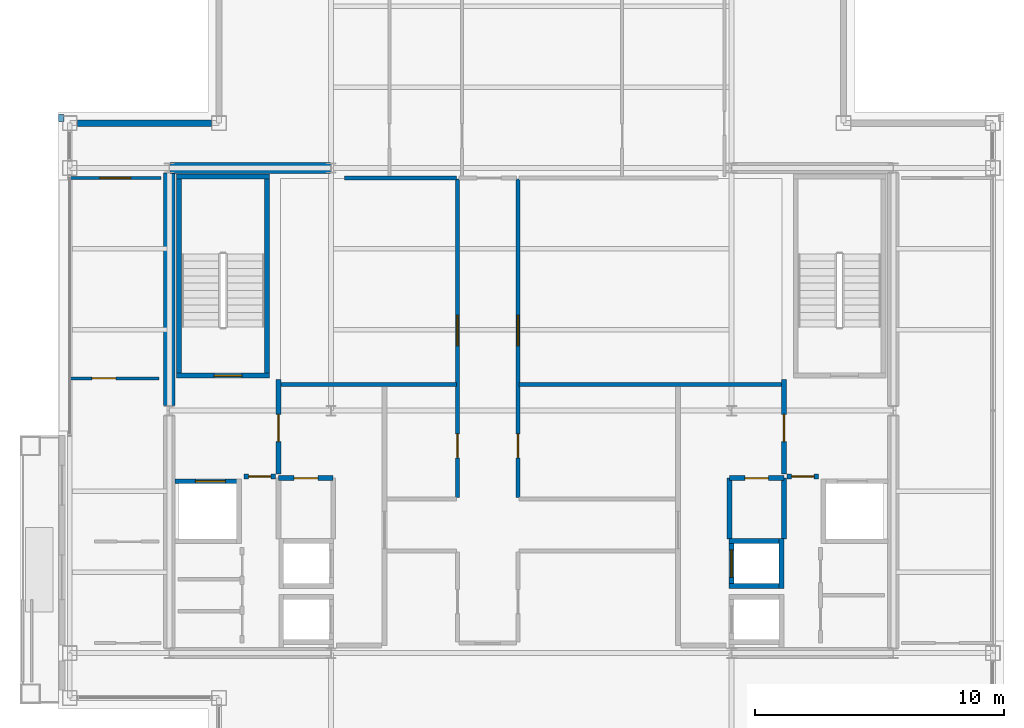
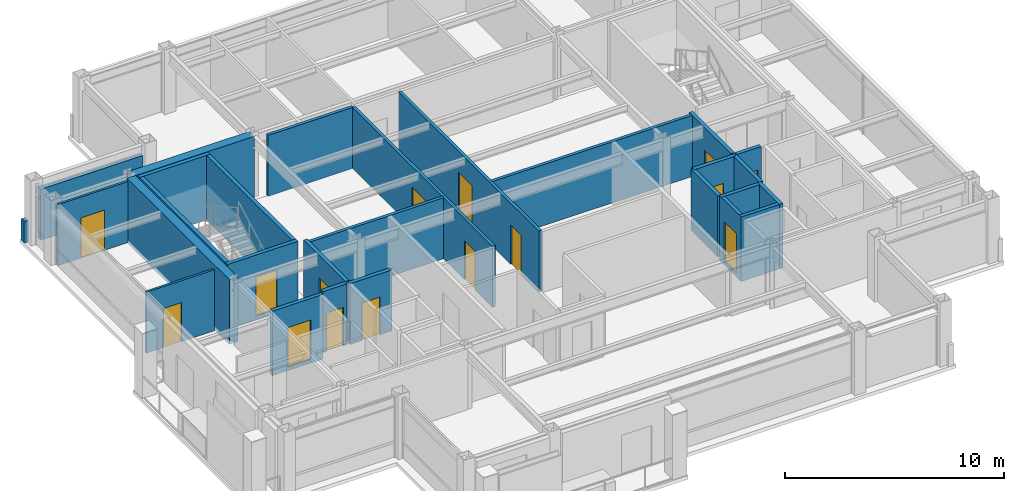
# One storey, part 21 of 24: 28 walls, 15 doors, 15 openings.
"""IFC4 building model written with IfcOpenShell, lengths in metres."""

from ifc_helpers import new_model, si_unit, direction, frame, frame_2d, origin, place, context, subcontext, project, spatial, rectangle, extrude, material, layer, layer_set, type_object, element, fill, save


model = new_model("IFC4")

# Units and contexts
model_context = context("Model", 3, precision=1e-05, world=origin(), true_north=direction((0.0, 1.0)))
body_context = subcontext(model_context, "Body", "Model", "MODEL_VIEW")
ifc_project = project(units=[si_unit("LENGTHUNIT", "METRE"), si_unit("AREAUNIT", "SQUARE_METRE"), si_unit("VOLUMEUNIT", "CUBIC_METRE"), si_unit("PLANEANGLEUNIT", "RADIAN"), si_unit("MASSUNIT", "GRAM", prefix="KILO")], contexts=[model_context])

# Site, building, storey
site_placement = place(None, origin())
site = spatial("IfcSite", under=ifc_project, at=site_placement, CompositionType="ELEMENT")
building_placement = place(site_placement, origin())
building = spatial("IfcBuilding", under=site, at=building_placement, Name="Brelmoor Portico Tower", CompositionType="ELEMENT")
storey_placement = place(building_placement, frame((0.0, 0.0, 261.60009765625)))
storey = spatial("IfcBuildingStorey", under=building, at=storey_placement, Name="L69", CompositionType="ELEMENT", Elevation=261.60009765625)

# Walls
ifc_material_1 = material(Name="Concrete C50", Category="concrete")
ifc_layer_1 = layer(ifc_material_1, 0.449951171875)
ifc_layer_set_1 = layer_set([ifc_layer_1], Name="Concrete C50")
wall_type_1 = type_object("IfcWallType", Name="WL-CORE-450", PredefinedType="SHEAR", material=ifc_layer_set_1)
wall_1_placement = place(storey_placement, frame((-14.530029296875, 9.75, -0.2001953125), z_axis=(0.0, 0.0, 1.0), x_axis=(1.0, 0.0, 0.0)))
element("IfcWall", 1, at=wall_1_placement, inside=storey, type_object=wall_type_1, Name="L69 WC North Shear Wall", PredefinedType="SHEAR", context=body_context, shape_type="SweptSolid", body=[
    extrude(rectangle(XDim=6.4599609375, YDim=0.449951171875, at=frame_2d((3.22998046875, 0.0))), origin(), (0.0, 0.0, 1.0), 3.60009765625),
])
wall_2_placement = place(storey_placement, frame((-14.550048828125, 0.199951171875, -0.2001953125), z_axis=(0.0, 0.0, 1.0), x_axis=(0.0, 1.0, 0.0)))
element("IfcWall", 2, at=wall_2_placement, inside=storey, type_object=wall_type_1, Name="L69 WC Outer North Shear Wall", PredefinedType="SHEAR", context=body_context, shape_type="SweptSolid", body=[
    extrude(rectangle(XDim=9.35009765625, YDim=0.449951171875, at=frame_2d((4.675048828125, 0.0))), origin(), (0.0, 0.0, 1.0), 3.60009765625),
])
ifc_material_2 = material(Name="Precast Concrete C40 Insulated Facade Wall", Category="concrete")
ifc_layer_2 = layer(ifc_material_2, 0.25)
ifc_layer_set_2 = layer_set([ifc_layer_2], Name="Precast Concrete C40 Insulated Facade Wall")
wall_type_2 = type_object("IfcWallType", Name="WL-EXT-250", PredefinedType="STANDARD", material=ifc_layer_set_2)
wall_3_placement = place(storey_placement, frame((-18.239990234375, 11.550048828125, 0.0), z_axis=(0.0, 0.0, 1.0), x_axis=(1.0, 0.0, 0.0)))
element("IfcWall", 3, at=wall_3_placement, inside=storey, type_object=wall_type_2, Name="L69 Corner Notch Facade Wall NNWH1", PredefinedType="STANDARD", context=body_context, shape_type="SweptSolid", body=[
    extrude(rectangle(XDim=5.3798828125, YDim=0.25, at=frame_2d((2.68994140625, 0.0))), origin(), (0.0, 0.0, 1.0), 2.849853515625),
])
ifc_material_3 = material(Name="Concrete C40 Parapet Upstand", Category="concrete")
ifc_layer_3 = layer(ifc_material_3, 0.219970703125)
ifc_layer_set_3 = layer_set([ifc_layer_3], Name="Concrete C40 Parapet Upstand")
wall_type_3 = type_object("IfcWallType", Name="WL-PARAPET-220", PredefinedType="PARAPET", material=ifc_layer_set_3)
wall_4_placement = place(storey_placement, frame((-18.889892578125, 11.6201171875, 0.0), z_axis=(0.0, 0.0, 1.0), x_axis=(0.0, 1.0, 0.0)))
element("IfcWall", 4, at=wall_4_placement, inside=storey, type_object=wall_type_3, Name="L69 Chamfer Vertex Parapet Pier NW2", PredefinedType="PARAPET", context=body_context, shape_type="SweptSolid", body=[
    extrude(rectangle(XDim=0.269775390625, YDim=0.219970703125, at=frame_2d((0.134765625, 0.0))), origin(), (0.0, 0.0, 1.0), 1.199951171875),
])

# Wall, opening, door
ifc_material_4 = material(Name="Lightweight Gypsum Office Partition", Category="gypsum")
ifc_layer_4 = layer(ifc_material_4, 0.1201171875)
ifc_layer_set_4 = layer_set([ifc_layer_4], Name="Lightweight Gypsum Office Partition")
wall_type_4 = type_object("IfcWallType", Name="WL-PART-120", PredefinedType="PARTITIONING", material=ifc_layer_set_4)
wall_5_placement = place(storey_placement, frame((-18.56005859375, 9.35009765625, 0.0), z_axis=(0.0, 0.0, 1.0), x_axis=(1.0, 0.0, 0.0)))
wall_5 = element("IfcWall", 5, at=wall_5_placement, inside=storey, type_object=wall_type_4, Name="L69 North Wing Suite Wall WL", PredefinedType="PARTITIONING", context=body_context, shape_type="SweptSolid", body=[
    extrude(rectangle(XDim=3.68017578125, YDim=0.1201171875, at=frame_2d((1.840087890625, 0.0))), origin(), (0.0, 0.0, 1.0), 3.39990234375),
])
opening_1_placement = place(wall_5_placement, frame((1.219970703125, 0.0, 0.0)))
opening_1 = element("IfcOpeningElement", 6, at=opening_1_placement, cuts=wall_5, Name="Opening D-SU1", PredefinedType="OPENING", context=body_context, shape_type="SweptSolid", body=[
    extrude(rectangle(XDim=1.239990234375, YDim=2.239990234375, at=frame_2d((0.6201171875, 1.1201171875))), frame((0.0, 0.070068359375, 0.0), z_axis=(0.0, -1.0, 0.0), x_axis=(1.0, 0.0, 0.0)), (0.0, 0.0, 1.0), 0.14013671875),
])
ifc_material_5 = material(Name="Glazed Timber Executive Suite Door", Category="wood")
door_type_1 = type_object("IfcDoorType", Name="DR-SUITE-1200", OperationType="NOTDEFINED", PredefinedType="DOOR", material=ifc_material_5)
door_1_placement = place(opening_1_placement, origin())
door_1 = element("IfcDoor", 7, at=door_1_placement, inside=storey, type_object=door_type_1, Name="D-2845 L69 WL Wing Suite Connecting Door", OperationType="SINGLE_SWING_LEFT", OverallHeight=2.239990234375, OverallWidth=1.239990234375, PredefinedType="DOOR", context=body_context, shape_type="SweptSolid", body=[
    extrude(rectangle(XDim=1.239990234375, YDim=2.239990234375, at=frame_2d((0.6201171875, 1.1201171875))), frame((0.0, 0.02490234375, 0.0), z_axis=(0.0, -1.0, 0.0), x_axis=(1.0, 0.0, 0.0)), (0.0, 0.0, 1.0), 0.050048828125),
])
fill(opening_1, door_1)

wall_6_placement = place(storey_placement, frame((-18.56005859375, 1.2978515625, 0.0), z_axis=(0.0, 0.0, 1.0), x_axis=(1.0, 0.0, 0.0)))
wall_6 = element("IfcWall", 8, at=wall_6_placement, inside=storey, type_object=wall_type_4, Name="L69 W Wing Partition 2", PredefinedType="PARTITIONING", context=body_context, shape_type="SweptSolid", body=[
    extrude(rectangle(XDim=3.60009765625, YDim=0.1201171875, at=frame_2d((1.800048828125, 0.0))), origin(), (0.0, 0.0, 1.0), 3.39990234375),
])
opening_2_placement = place(wall_6_placement, frame((0.89990234375, 0.0, 0.0)))
opening_2 = element("IfcOpeningElement", 9, at=opening_2_placement, cuts=wall_6, Name="Opening D-IN2", PredefinedType="OPENING", context=body_context, shape_type="SweptSolid", body=[
    extrude(rectangle(XDim=0.9599609375, YDim=2.179931640625, at=frame_2d((0.47998046875, 1.08984375))), frame((0.0, 0.070068359375, 0.0), z_axis=(0.0, -1.0, 0.0), x_axis=(1.0, 0.0, 0.0)), (0.0, 0.0, 1.0), 0.14013671875),
])
ifc_material_6 = material(Name="Lacquered Timber Suite Door", Category="wood")
door_type_2 = type_object("IfcDoorType", Name="DR-INT-950", OperationType="NOTDEFINED", PredefinedType="DOOR", material=ifc_material_6)
door_2_placement = place(opening_2_placement, origin())
door_2 = element("IfcDoor", 10, at=door_2_placement, inside=storey, type_object=door_type_2, Name="D-2854 L69 W Wing Suite Connecting Door 2", OperationType="SINGLE_SWING_LEFT", OverallHeight=2.179931640625, OverallWidth=0.9599609375, PredefinedType="DOOR", context=body_context, shape_type="SweptSolid", body=[
    extrude(rectangle(XDim=0.9599609375, YDim=2.179931640625, at=frame_2d((0.47998046875, 1.08984375))), frame((0.0, 0.02490234375, 0.0), z_axis=(0.0, -1.0, 0.0), x_axis=(1.0, 0.0, 0.0)), (0.0, 0.0, 1.0), 0.050048828125),
])
fill(opening_2, door_2)

# Wall
ifc_material_7 = material(Name="Twin-Frame Acoustic Partition", Category="gypsum")
ifc_layer_5 = layer(ifc_material_7, 0.159912109375)
ifc_layer_set_5 = layer_set([ifc_layer_5], Name="Twin-Frame Acoustic Partition")
wall_type_5 = type_object("IfcWallType", Name="WL-PART-160", PredefinedType="PARTITIONING", material=ifc_layer_set_5)
wall_7_placement = place(storey_placement, frame((-10.050048828125, 1.050048828125, 0.0), z_axis=(0.0, 0.0, 1.0), x_axis=(1.0, 0.0, 0.0)))
element("IfcWall", 11, at=wall_7_placement, inside=storey, type_object=wall_type_5, Name="L69 West Reclaimed Suite South Wall", PredefinedType="PARTITIONING", context=body_context, shape_type="SweptSolid", body=[
    extrude(rectangle(XDim=7.0400390625, YDim=0.159912109375, at=frame_2d((3.52001953125, 0.0))), origin(), (0.0, 0.0, 1.0), 3.39990234375),
])

# Wall, openings, doors
wall_8_placement = place(storey_placement, frame((-2.969970703125, -3.5, 0.0), z_axis=(0.0, 0.0, 1.0), x_axis=(0.0, 1.0, 0.0)))
wall_8 = element("IfcWall", 12, at=wall_8_placement, inside=storey, type_object=wall_type_5, Name="L69 Central Cross West Wall", PredefinedType="PARTITIONING", context=body_context, shape_type="SweptSolid", body=[
    extrude(rectangle(XDim=12.81005859375, YDim=0.159912109375, at=frame_2d((6.405029296875, 0.0))), origin(), (0.0, 0.0, 1.0), 3.39990234375),
])
opening_3_placement = place(wall_8_placement, frame((6.10009765625, 0.0, 0.0)))
opening_3 = element("IfcOpeningElement", 13, at=opening_3_placement, cuts=wall_8, Name="Opening D-SU1", PredefinedType="OPENING", context=body_context, shape_type="SweptSolid", body=[
    extrude(rectangle(XDim=1.239990234375, YDim=2.239990234375, at=frame_2d((0.6201171875, 1.1201171875))), frame((0.0, 0.08984375, 0.0), z_axis=(0.0, -1.0, 0.0), x_axis=(1.0, 0.0, 0.0)), (0.0, 0.0, 1.0), 0.179931640625),
])
opening_4_placement = place(wall_8_placement, frame((1.60009765625, 0.0, 0.0)))
opening_4 = element("IfcOpeningElement", 14, at=opening_4_placement, cuts=wall_8, Name="Opening D-IN2", PredefinedType="OPENING", context=body_context, shape_type="SweptSolid", body=[
    extrude(rectangle(XDim=0.9599609375, YDim=2.179931640625, at=frame_2d((0.47998046875, 1.08984375))), frame((0.0, 0.08984375, 0.0), z_axis=(0.0, -1.0, 0.0), x_axis=(1.0, 0.0, 0.0)), (0.0, 0.0, 1.0), 0.179931640625),
])
door_3_placement = place(opening_4_placement, origin())
door_3 = element("IfcDoor", 15, at=door_3_placement, inside=storey, type_object=door_type_2, Name="D-2824 L69 Staff Pantry Door", OperationType="SINGLE_SWING_LEFT", OverallHeight=2.179931640625, OverallWidth=0.9599609375, PredefinedType="DOOR", context=body_context, shape_type="SweptSolid", body=[
    extrude(rectangle(XDim=0.9599609375, YDim=2.179931640625, at=frame_2d((0.47998046875, 1.08984375))), frame((0.0, 0.02490234375, 0.0), z_axis=(0.0, -1.0, 0.0), x_axis=(1.0, 0.0, 0.0)), (0.0, 0.0, 1.0), 0.050048828125),
])
fill(opening_4, door_3)
door_4_placement = place(opening_3_placement, origin())
door_4 = element("IfcDoor", 16, at=door_4_placement, inside=storey, type_object=door_type_1, Name="D-2825 L69 West Reclaimed Studio Door", OperationType="SINGLE_SWING_RIGHT", OverallHeight=2.239990234375, OverallWidth=1.239990234375, PredefinedType="DOOR", context=body_context, shape_type="SweptSolid", body=[
    extrude(rectangle(XDim=1.239990234375, YDim=2.239990234375, at=frame_2d((0.6201171875, 1.1201171875))), frame((0.0, 0.02490234375, 0.0), z_axis=(0.0, -1.0, 0.0), x_axis=(1.0, 0.0, 0.0)), (0.0, 0.0, 1.0), 0.050048828125),
])
fill(opening_3, door_4)

# Walls
wall_9_placement = place(storey_placement, frame((-7.5, 9.35009765625, 0.0), z_axis=(0.0, 0.0, 1.0), x_axis=(1.0, 0.0, 0.0)))
element("IfcWall", 17, at=wall_9_placement, inside=storey, type_object=wall_type_5, Name="L69 West Reclaimed Suite North Wall", PredefinedType="PARTITIONING", context=body_context, shape_type="SweptSolid", body=[
    extrude(rectangle(XDim=4.489990234375, YDim=0.159912109375, at=frame_2d((2.2451171875, 0.0))), origin(), (0.0, 0.0, 1.0), 3.39990234375),
])
wall_10_placement = place(storey_placement, frame((-0.489990234375, 1.050048828125, 0.0), z_axis=(0.0, 0.0, 1.0), x_axis=(1.0, 0.0, 0.0)))
element("IfcWall", 18, at=wall_10_placement, inside=storey, type_object=wall_type_5, Name="L69 East Suite South Wall", PredefinedType="PARTITIONING", context=body_context, shape_type="SweptSolid", body=[
    extrude(rectangle(XDim=10.550048828125, YDim=0.159912109375, at=frame_2d((5.27490234375, 0.0))), origin(), (0.0, 0.0, 1.0), 3.39990234375),
])

# Wall, openings, doors
wall_11_placement = place(storey_placement, frame((-0.530029296875, -3.5, 0.0), z_axis=(0.0, 0.0, 1.0), x_axis=(0.0, 1.0, 0.0)))
wall_11 = element("IfcWall", 19, at=wall_11_placement, inside=storey, type_object=wall_type_5, Name="L69 Central Cross East Wall", PredefinedType="PARTITIONING", context=body_context, shape_type="SweptSolid", body=[
    extrude(rectangle(XDim=12.81005859375, YDim=0.159912109375, at=frame_2d((6.405029296875, 0.0))), origin(), (0.0, 0.0, 1.0), 3.39990234375),
])
opening_5_placement = place(wall_11_placement, frame((6.10009765625, 0.0, 0.0)))
opening_5 = element("IfcOpeningElement", 20, at=opening_5_placement, cuts=wall_11, Name="Opening D-SU1", PredefinedType="OPENING", context=body_context, shape_type="SweptSolid", body=[
    extrude(rectangle(XDim=1.239990234375, YDim=2.239990234375, at=frame_2d((0.6201171875, 1.1201171875))), frame((0.0, 0.08984375, 0.0), z_axis=(0.0, -1.0, 0.0), x_axis=(1.0, 0.0, 0.0)), (0.0, 0.0, 1.0), 0.179931640625),
])
opening_6_placement = place(wall_11_placement, frame((1.60009765625, 0.0, 0.0)))
opening_6 = element("IfcOpeningElement", 21, at=opening_6_placement, cuts=wall_11, Name="Opening D-IN2", PredefinedType="OPENING", context=body_context, shape_type="SweptSolid", body=[
    extrude(rectangle(XDim=0.9599609375, YDim=2.179931640625, at=frame_2d((0.47998046875, 1.08984375))), frame((0.0, 0.08984375, 0.0), z_axis=(0.0, -1.0, 0.0), x_axis=(1.0, 0.0, 0.0)), (0.0, 0.0, 1.0), 0.179931640625),
])
door_5_placement = place(opening_6_placement, origin())
door_5 = element("IfcDoor", 22, at=door_5_placement, inside=storey, type_object=door_type_2, Name="D-2820 L69 Client Project Office Door", OperationType="SINGLE_SWING_LEFT", OverallHeight=2.179931640625, OverallWidth=0.9599609375, PredefinedType="DOOR", context=body_context, shape_type="SweptSolid", body=[
    extrude(rectangle(XDim=0.9599609375, YDim=2.179931640625, at=frame_2d((0.47998046875, 1.08984375))), frame((0.0, 0.02490234375, 0.0), z_axis=(0.0, -1.0, 0.0), x_axis=(1.0, 0.0, 0.0)), (0.0, 0.0, 1.0), 0.050048828125),
])
fill(opening_6, door_5)
door_6_placement = place(opening_5_placement, origin())
door_6 = element("IfcDoor", 23, at=door_6_placement, inside=storey, type_object=door_type_1, Name="D-2821 L69 East Reclaimed Studio Door", OperationType="SINGLE_SWING_RIGHT", OverallHeight=2.239990234375, OverallWidth=1.239990234375, PredefinedType="DOOR", context=body_context, shape_type="SweptSolid", body=[
    extrude(rectangle(XDim=1.239990234375, YDim=2.239990234375, at=frame_2d((0.6201171875, 1.1201171875))), frame((0.0, 0.02490234375, 0.0), z_axis=(0.0, -1.0, 0.0), x_axis=(1.0, 0.0, 0.0)), (0.0, 0.0, 1.0), 0.050048828125),
])
fill(opening_5, door_6)

# Wall, opening, door
ifc_material_8 = material(Name="Double-Stud Gypsum Fire Partition", Category="gypsum")
ifc_layer_6 = layer(ifc_material_8, 0.199951171875)
ifc_layer_set_6 = layer_set([ifc_layer_6], Name="Double-Stud Gypsum Fire Partition")
wall_type_6 = type_object("IfcWallType", Name="WL-PART-200", PredefinedType="PARTITIONING", material=ifc_layer_set_6)
wall_12_placement = place(storey_placement, frame((-10.159912109375, -2.550048828125, 0.0), z_axis=(0.0, 0.0, 1.0), x_axis=(0.0, 1.0, 0.0)))
wall_12 = element("IfcWall", 24, at=wall_12_placement, inside=storey, type_object=wall_type_6, Name="L69 W Firefighting Lobby Wall", PredefinedType="PARTITIONING", context=body_context, shape_type="SweptSolid", body=[
    extrude(rectangle(XDim=3.800048828125, YDim=0.199951171875, at=frame_2d((1.89990234375, 0.0))), origin(), (0.0, 0.0, 1.0), 3.39990234375),
])
opening_7_placement = place(wall_12_placement, frame((1.300048828125, 0.0, 0.0)))
opening_7 = element("IfcOpeningElement", 25, at=opening_7_placement, cuts=wall_12, Name="Opening D-FR1", PredefinedType="OPENING", context=body_context, shape_type="SweptSolid", body=[
    extrude(rectangle(XDim=1.10009765625, YDim=2.14990234375, at=frame_2d((0.550048828125, 1.074951171875))), frame((0.0, 0.10986328125, 0.0), z_axis=(0.0, -1.0, 0.0), x_axis=(1.0, 0.0, 0.0)), (0.0, 0.0, 1.0), 0.219970703125),
])
ifc_material_9 = material(Name="Painted Galvanised Steel Fire Door", Category="steel")
door_type_3 = type_object("IfcDoorType", Name="DR-FIRE-1100", OperationType="NOTDEFINED", PredefinedType="DOOR", material=ifc_material_9)
door_7_placement = place(opening_7_placement, origin())
door_7 = element("IfcDoor", 26, at=door_7_placement, inside=storey, type_object=door_type_3, Name="D-2836 L69 W Firefighting Lobby Door", OperationType="SINGLE_SWING_LEFT", OverallHeight=2.14990234375, OverallWidth=1.10009765625, PredefinedType="DOOR", context=body_context, shape_type="SweptSolid", body=[
    extrude(rectangle(XDim=1.10009765625, YDim=2.14990234375, at=frame_2d((0.550048828125, 1.074951171875))), frame((0.0, 0.02490234375, 0.0), z_axis=(0.0, -1.0, 0.0), x_axis=(1.0, 0.0, 0.0)), (0.0, 0.0, 1.0), 0.050048828125),
])
fill(opening_7, door_7)

wall_13_placement = place(storey_placement, frame((-10.280029296875, -2.64990234375, 0.0), z_axis=(0.0, 0.0, 1.0), x_axis=(-1.0, 0.0, 0.0)))
wall_13 = element("IfcWall", 27, at=wall_13_placement, inside=storey, type_object=wall_type_6, Name="L69 W Firefighting Lobby South Wall", PredefinedType="PARTITIONING", context=body_context, shape_type="SweptSolid", body=[
    extrude(rectangle(XDim=1.27001953125, YDim=0.199951171875, at=frame_2d((0.635009765625, 0.0))), origin(), (0.0, 0.0, 1.0), 3.39990234375),
])
opening_8_placement = place(wall_13_placement, frame((0.18505859375, 0.0, 0.0)))
opening_8 = element("IfcOpeningElement", 28, at=opening_8_placement, cuts=wall_13, Name="Opening D-IN1", PredefinedType="OPENING", context=body_context, shape_type="SweptSolid", body=[
    extrude(rectangle(XDim=0.89990234375, YDim=2.14990234375, at=frame_2d((0.449951171875, 1.074951171875))), frame((0.0, 0.10986328125, 0.0), z_axis=(0.0, -1.0, 0.0), x_axis=(1.0, 0.0, 0.0)), (0.0, 0.0, 1.0), 0.219970703125),
])
door_type_4 = type_object("IfcDoorType", Name="DR-INT-900", OperationType="NOTDEFINED", PredefinedType="DOOR", material=ifc_material_6)
door_8_placement = place(opening_8_placement, origin())
door_8 = element("IfcDoor", 29, at=door_8_placement, inside=storey, type_object=door_type_4, Name="D-2829 L69 W Core Service Vestibule Door", OperationType="SINGLE_SWING_RIGHT", OverallHeight=2.14990234375, OverallWidth=0.89990234375, PredefinedType="DOOR", context=body_context, shape_type="SweptSolid", body=[
    extrude(rectangle(XDim=0.89990234375, YDim=2.14990234375, at=frame_2d((0.449951171875, 1.074951171875))), frame((0.0, 0.02490234375, 0.0), z_axis=(0.0, -1.0, 0.0), x_axis=(1.0, 0.0, 0.0)), (0.0, 0.0, 1.0), 0.050048828125),
])
fill(opening_8, door_8)

wall_14_placement = place(storey_placement, frame((-7.9599609375, -2.719970703125, 0.0), z_axis=(0.0, 0.0, 1.0), x_axis=(-1.0, 0.0, 0.0)))
wall_14 = element("IfcWall", 30, at=wall_14_placement, inside=storey, type_object=wall_type_6, Name="L69 W Electrical Switchgear Closet Wall", PredefinedType="PARTITIONING", context=body_context, shape_type="SweptSolid", body=[
    extrude(rectangle(XDim=2.199951171875, YDim=0.199951171875, at=frame_2d((1.10009765625, 0.0))), origin(), (0.0, 0.0, 1.0), 3.39990234375),
])
opening_9_placement = place(wall_14_placement, frame((0.6201171875, 0.0, 0.0)))
opening_9 = element("IfcOpeningElement", 31, at=opening_9_placement, cuts=wall_14, Name="Opening D-FR4", PredefinedType="OPENING", context=body_context, shape_type="SweptSolid", body=[
    extrude(rectangle(XDim=0.949951171875, YDim=2.10009765625, at=frame_2d((0.47509765625, 1.050048828125))), frame((0.0, 0.10986328125, 0.0), z_axis=(0.0, -1.0, 0.0), x_axis=(1.0, 0.0, 0.0)), (0.0, 0.0, 1.0), 0.219970703125),
])
ifc_material_10 = material(Name="Painted Galvanised Steel Riser Door", Category="steel")
door_type_5 = type_object("IfcDoorType", Name="DR-FIRE-950", OperationType="NOTDEFINED", PredefinedType="DOOR", material=ifc_material_10)
door_9_placement = place(opening_9_placement, origin())
door_9 = element("IfcDoor", 32, at=door_9_placement, inside=storey, type_object=door_type_5, Name="D-2834 L69 W Electrical Switchgear Closet Door", OperationType="SINGLE_SWING_LEFT", OverallHeight=2.10009765625, OverallWidth=0.949951171875, PredefinedType="DOOR", context=body_context, shape_type="SweptSolid", body=[
    extrude(rectangle(XDim=0.949951171875, YDim=2.10009765625, at=frame_2d((0.47509765625, 1.050048828125))), frame((0.0, 0.02490234375, 0.0), z_axis=(0.0, -1.0, 0.0), x_axis=(1.0, 0.0, 0.0)), (0.0, 0.0, 1.0), 0.050048828125),
])
fill(opening_9, door_9)

wall_15_placement = place(storey_placement, frame((10.159912109375, -2.550048828125, 0.0), z_axis=(0.0, 0.0, 1.0), x_axis=(0.0, 1.0, 0.0)))
wall_15 = element("IfcWall", 33, at=wall_15_placement, inside=storey, type_object=wall_type_6, Name="L69 E Firefighting Lobby Wall", PredefinedType="PARTITIONING", context=body_context, shape_type="SweptSolid", body=[
    extrude(rectangle(XDim=3.800048828125, YDim=0.199951171875, at=frame_2d((1.89990234375, 0.0))), origin(), (0.0, 0.0, 1.0), 3.39990234375),
])
opening_10_placement = place(wall_15_placement, frame((1.300048828125, 0.0, 0.0)))
opening_10 = element("IfcOpeningElement", 34, at=opening_10_placement, cuts=wall_15, Name="Opening D-FR1", PredefinedType="OPENING", context=body_context, shape_type="SweptSolid", body=[
    extrude(rectangle(XDim=1.10009765625, YDim=2.14990234375, at=frame_2d((0.550048828125, 1.074951171875))), frame((0.0, 0.10986328125, 0.0), z_axis=(0.0, -1.0, 0.0), x_axis=(1.0, 0.0, 0.0)), (0.0, 0.0, 1.0), 0.219970703125),
])
door_10_placement = place(opening_10_placement, origin())
door_10 = element("IfcDoor", 35, at=door_10_placement, inside=storey, type_object=door_type_3, Name="D-2835 L69 E Firefighting Lobby Door", OperationType="SINGLE_SWING_LEFT", OverallHeight=2.14990234375, OverallWidth=1.10009765625, PredefinedType="DOOR", context=body_context, shape_type="SweptSolid", body=[
    extrude(rectangle(XDim=1.10009765625, YDim=2.14990234375, at=frame_2d((0.550048828125, 1.074951171875))), frame((0.0, 0.02490234375, 0.0), z_axis=(0.0, -1.0, 0.0), x_axis=(1.0, 0.0, 0.0)), (0.0, 0.0, 1.0), 0.050048828125),
])
fill(opening_10, door_10)

wall_16_placement = place(storey_placement, frame((10.280029296875, -2.64990234375, 0.0), z_axis=(0.0, 0.0, 1.0), x_axis=(1.0, 0.0, 0.0)))
wall_16 = element("IfcWall", 36, at=wall_16_placement, inside=storey, type_object=wall_type_6, Name="L69 E Firefighting Lobby South Wall", PredefinedType="PARTITIONING", context=body_context, shape_type="SweptSolid", body=[
    extrude(rectangle(XDim=1.27001953125, YDim=0.199951171875, at=frame_2d((0.635009765625, 0.0))), origin(), (0.0, 0.0, 1.0), 3.39990234375),
])
opening_11_placement = place(wall_16_placement, frame((0.18505859375, 0.0, 0.0)))
opening_11 = element("IfcOpeningElement", 37, at=opening_11_placement, cuts=wall_16, Name="Opening D-IN1", PredefinedType="OPENING", context=body_context, shape_type="SweptSolid", body=[
    extrude(rectangle(XDim=0.89990234375, YDim=2.14990234375, at=frame_2d((0.449951171875, 1.074951171875))), frame((0.0, 0.10986328125, 0.0), z_axis=(0.0, -1.0, 0.0), x_axis=(1.0, 0.0, 0.0)), (0.0, 0.0, 1.0), 0.219970703125),
])
door_11_placement = place(opening_11_placement, origin())
door_11 = element("IfcDoor", 38, at=door_11_placement, inside=storey, type_object=door_type_4, Name="D-2828 L69 E Core Service Vestibule Door", OperationType="SINGLE_SWING_RIGHT", OverallHeight=2.14990234375, OverallWidth=0.89990234375, PredefinedType="DOOR", context=body_context, shape_type="SweptSolid", body=[
    extrude(rectangle(XDim=0.89990234375, YDim=2.14990234375, at=frame_2d((0.449951171875, 1.074951171875))), frame((0.0, 0.02490234375, 0.0), z_axis=(0.0, -1.0, 0.0), x_axis=(1.0, 0.0, 0.0)), (0.0, 0.0, 1.0), 0.050048828125),
])
fill(opening_11, door_11)

wall_17_placement = place(storey_placement, frame((7.9599609375, -2.719970703125, 0.0), z_axis=(0.0, 0.0, 1.0), x_axis=(1.0, 0.0, 0.0)))
wall_17 = element("IfcWall", 39, at=wall_17_placement, inside=storey, type_object=wall_type_6, Name="L69 E Electrical Switchgear Closet Wall", PredefinedType="PARTITIONING", context=body_context, shape_type="SweptSolid", body=[
    extrude(rectangle(XDim=2.199951171875, YDim=0.199951171875, at=frame_2d((1.10009765625, 0.0))), origin(), (0.0, 0.0, 1.0), 3.39990234375),
])
opening_12_placement = place(wall_17_placement, frame((0.6201171875, 0.0, 0.0)))
opening_12 = element("IfcOpeningElement", 40, at=opening_12_placement, cuts=wall_17, Name="Opening D-FR4", PredefinedType="OPENING", context=body_context, shape_type="SweptSolid", body=[
    extrude(rectangle(XDim=0.949951171875, YDim=2.10009765625, at=frame_2d((0.47509765625, 1.050048828125))), frame((0.0, 0.10986328125, 0.0), z_axis=(0.0, -1.0, 0.0), x_axis=(1.0, 0.0, 0.0)), (0.0, 0.0, 1.0), 0.219970703125),
])
door_12_placement = place(opening_12_placement, origin())
door_12 = element("IfcDoor", 41, at=door_12_placement, inside=storey, type_object=door_type_5, Name="D-2833 L69 E Electrical Switchgear Closet Door", OperationType="SINGLE_SWING_LEFT", OverallHeight=2.10009765625, OverallWidth=0.949951171875, PredefinedType="DOOR", context=body_context, shape_type="SweptSolid", body=[
    extrude(rectangle(XDim=0.949951171875, YDim=2.10009765625, at=frame_2d((0.47509765625, 1.050048828125))), frame((0.0, 0.02490234375, 0.0), z_axis=(0.0, -1.0, 0.0), x_axis=(1.0, 0.0, 0.0)), (0.0, 0.0, 1.0), 0.050048828125),
])
fill(opening_12, door_12)

# Walls
for number, where, z_axis, x_axis, name in (
    (42, (7.9599609375, -5.159912109375, 0.0), (0.0, 0.0, 1.0), (0.0, 1.0, 0.0), "L69 E Electrical Switchgear Closet Inner Wall"),
    (43, (10.159912109375, -5.159912109375, 0.0), (0.0, 0.0, 1.0), (0.0, 1.0, 0.0), "L69 E Electrical Switchgear Closet Outer Wall"),
):
    element("IfcWall", number, at=place(storey_placement, frame(where, z_axis=z_axis, x_axis=x_axis)), inside=storey, type_object=wall_type_6, Name=name, PredefinedType="PARTITIONING", context=body_context, shape_type="SweptSolid", body=[
        extrude(rectangle(XDim=2.43994140625, YDim=0.199951171875, at=frame_2d((1.219970703125, 0.0))), origin(), (0.0, 0.0, 1.0), 3.39990234375),
    ])

# Wall, opening, door
ifc_material_11 = material(Name="Precast Concrete C40", Category="concrete")
ifc_layer_7 = layer(ifc_material_11, 0.18994140625)
ifc_layer_set_7 = layer_set([ifc_layer_7], Name="Precast Concrete C40")
wall_type_7 = type_object("IfcWallType", Name="WL-SHAFT-180", PredefinedType="SOLIDWALL", material=ifc_layer_set_7)
wall_18_placement = place(storey_placement, frame((8.044921875, -7.14990234375, -0.2001953125), z_axis=(0.0, 0.0, 1.0), x_axis=(0.0, 1.0, 0.0)))
wall_18 = element("IfcWall", 44, at=wall_18_placement, inside=storey, type_object=wall_type_7, Name="L69 Lift PH4 Hoistway Front Wall", PredefinedType="SOLIDWALL", context=body_context, shape_type="SweptSolid", body=[
    extrude(rectangle(XDim=2.0, YDim=0.18994140625, at=frame_2d((1.0, 0.0))), origin(), (0.0, 0.0, 1.0), 3.60009765625),
])
opening_13_placement = place(wall_18_placement, frame((0.449951171875, 0.0, 0.199951171875)))
opening_13 = element("IfcOpeningElement", 45, at=opening_13_placement, cuts=wall_18, Name="Opening LD-01", PredefinedType="OPENING", context=body_context, shape_type="SweptSolid", body=[
    extrude(rectangle(XDim=1.10009765625, YDim=2.199951171875, at=frame_2d((0.550048828125, 1.10009765625))), frame((0.0, 0.10498046875, 0.0), z_axis=(0.0, -1.0, 0.0), x_axis=(1.0, 0.0, 0.0)), (0.0, 0.0, 1.0), 0.2099609375),
])
ifc_material_12 = material(Name="Brushed Stainless Steel Sliding Lift Door", Category="steel")
door_type_6 = type_object("IfcDoorType", Name="DR-LIFT-1100", OperationType="NOTDEFINED", PredefinedType="DOOR", material=ifc_material_12)
door_13_placement = place(opening_13_placement, origin())
door_13 = element("IfcDoor", 46, at=door_13_placement, inside=storey, type_object=door_type_6, Name="D-2860 L69 Lift PH4 Sliding Landing Door", OperationType="SLIDING_TO_LEFT", OverallHeight=2.199951171875, OverallWidth=1.10009765625, PredefinedType="DOOR", context=body_context, shape_type="SweptSolid", body=[
    extrude(rectangle(XDim=1.10009765625, YDim=2.199951171875, at=frame_2d((0.550048828125, 1.10009765625))), frame((0.0, 0.02490234375, 0.0), z_axis=(0.0, -1.0, 0.0), x_axis=(1.0, 0.0, 0.0)), (0.0, 0.0, 1.0), 0.050048828125),
])
fill(opening_13, door_13)

# Walls
wall_19_placement = place(storey_placement, frame((10.054931640625, -7.14990234375, -0.2001953125), z_axis=(0.0, 0.0, 1.0), x_axis=(0.0, 1.0, 0.0)))
element("IfcWall", 47, at=wall_19_placement, inside=storey, type_object=wall_type_7, Name="L69 Lift PH4 Hoistway Back Wall", PredefinedType="SOLIDWALL", context=body_context, shape_type="SweptSolid", body=[
    extrude(rectangle(XDim=2.0, YDim=0.18994140625, at=frame_2d((1.0, 0.0))), origin(), (0.0, 0.0, 1.0), 3.60009765625),
])
for number, where, z_axis, x_axis, name in (
    (48, (7.949951171875, -5.2451171875, -0.2001953125), (0.0, 0.0, 1.0), (1.0, 0.0, 0.0), "L69 Lift PH4 Hoistway North Wall"),
    (49, (7.949951171875, -7.054931640625, -0.2001953125), (0.0, 0.0, 1.0), (1.0, 0.0, 0.0), "L69 Lift PH4 Hoistway South Wall"),
):
    element("IfcWall", number, at=place(storey_placement, frame(where, z_axis=z_axis, x_axis=x_axis)), inside=storey, type_object=wall_type_7, Name=name, PredefinedType="SOLIDWALL", context=body_context, shape_type="SweptSolid", body=[
        extrude(rectangle(XDim=2.199951171875, YDim=0.18994140625, at=frame_2d((1.10009765625, 0.0))), origin(), (0.0, 0.0, 1.0), 3.60009765625),
    ])

# Wall, opening, door
wall_20_placement = place(storey_placement, frame((-14.330078125, -2.844970703125, -0.2001953125), z_axis=(0.0, 0.0, 1.0), x_axis=(1.0, 0.0, 0.0)))
wall_20 = element("IfcWall", 50, at=wall_20_placement, inside=storey, type_object=wall_type_7, Name="L69 Lift FF1 Hoistway Front Wall", PredefinedType="SOLIDWALL", context=body_context, shape_type="SweptSolid", body=[
    extrude(rectangle(XDim=2.68017578125, YDim=0.18994140625, at=frame_2d((1.340087890625, 0.0))), origin(), (0.0, 0.0, 1.0), 3.60009765625),
])
opening_14_placement = place(wall_20_placement, frame((0.830078125, 0.0, 0.199951171875)))
opening_14 = element("IfcOpeningElement", 51, at=opening_14_placement, cuts=wall_20, Name="Opening LD-02", PredefinedType="OPENING", context=body_context, shape_type="SweptSolid", body=[
    extrude(rectangle(XDim=1.199951171875, YDim=2.199951171875, at=frame_2d((0.60009765625, 1.10009765625))), frame((0.0, 0.10498046875, 0.0), z_axis=(0.0, -1.0, 0.0), x_axis=(1.0, 0.0, 0.0)), (0.0, 0.0, 1.0), 0.2099609375),
])
ifc_material_13 = material(Name="Brushed Stainless Steel Firefighting Lift Door", Category="steel")
door_type_7 = type_object("IfcDoorType", Name="DR-LIFT-1200", OperationType="NOTDEFINED", PredefinedType="DOOR", material=ifc_material_13)
door_14_placement = place(opening_14_placement, origin())
door_14 = element("IfcDoor", 52, at=door_14_placement, inside=storey, type_object=door_type_7, Name="D-2855 L69 Lift FF1 Sliding Landing Door", OperationType="SLIDING_TO_LEFT", OverallHeight=2.199951171875, OverallWidth=1.199951171875, PredefinedType="DOOR", context=body_context, shape_type="SweptSolid", body=[
    extrude(rectangle(XDim=1.199951171875, YDim=2.199951171875, at=frame_2d((0.60009765625, 1.10009765625))), frame((0.0, 0.02490234375, 0.0), z_axis=(0.0, -1.0, 0.0), x_axis=(1.0, 0.0, 0.0)), (0.0, 0.0, 1.0), 0.050048828125),
])
fill(opening_14, door_14)

# Wall
ifc_material_14 = material(Name="Concrete C40", Category="concrete")
ifc_layer_8 = layer(ifc_material_14, 0.199951171875)
ifc_layer_set_8 = layer_set([ifc_layer_8], Name="Concrete C40")
wall_type_8 = type_object("IfcWallType", Name="WL-SHAFT-RC200", PredefinedType="SOLIDWALL", material=ifc_layer_set_8)
wall_21_placement = place(storey_placement, frame((-14.14990234375, 1.5, -0.2001953125), z_axis=(0.0, 0.0, 1.0), x_axis=(0.0, 1.0, 0.0)))
element("IfcWall", 53, at=wall_21_placement, inside=storey, type_object=wall_type_8, Name="L69 ST-W Structural Stair Wall Outer", PredefinedType="SOLIDWALL", context=body_context, shape_type="SweptSolid", body=[
    extrude(rectangle(XDim=7.800048828125, YDim=0.199951171875, at=frame_2d((3.89990234375, 0.0))), origin(), (0.0, 0.0, 1.0), 3.60009765625),
])

# Wall, opening, door
wall_22_placement = place(storey_placement, frame((-14.25, 1.39990234375, -0.2001953125), z_axis=(0.0, 0.0, 1.0), x_axis=(1.0, 0.0, 0.0)))
wall_22 = element("IfcWall", 54, at=wall_22_placement, inside=storey, type_object=wall_type_8, Name="L69 ST-W Structural Stair Wall S", PredefinedType="SOLIDWALL", context=body_context, shape_type="SweptSolid", body=[
    extrude(rectangle(XDim=3.719970703125, YDim=0.199951171875, at=frame_2d((1.85986328125, 0.0))), origin(), (0.0, 0.0, 1.0), 3.60009765625),
])
opening_15_placement = place(wall_22_placement, frame((1.5, 0.0, 0.199951171875)))
opening_15 = element("IfcOpeningElement", 55, at=opening_15_placement, cuts=wall_22, Name="Opening D-ST1", PredefinedType="OPENING", context=body_context, shape_type="SweptSolid", body=[
    extrude(rectangle(XDim=1.1201171875, YDim=2.179931640625, at=frame_2d((0.56005859375, 1.08984375))), frame((0.0, 0.10986328125, 0.0), z_axis=(0.0, -1.0, 0.0), x_axis=(1.0, 0.0, 0.0)), (0.0, 0.0, 1.0), 0.219970703125),
])
door_type_8 = type_object("IfcDoorType", Name="DR-STAIR-1100", OperationType="NOTDEFINED", PredefinedType="DOOR", material=ifc_material_9)
door_15_placement = place(opening_15_placement, origin())
door_15 = element("IfcDoor", 56, at=door_15_placement, inside=storey, type_object=door_type_8, Name="D-2848 L69 ST-W Protected Exit Stair Door", OperationType="SINGLE_SWING_LEFT", OverallHeight=2.179931640625, OverallWidth=1.1201171875, PredefinedType="DOOR", context=body_context, shape_type="SweptSolid", body=[
    extrude(rectangle(XDim=1.1201171875, YDim=2.179931640625, at=frame_2d((0.56005859375, 1.08984375))), frame((0.0, 0.02490234375, 0.0), z_axis=(0.0, -1.0, 0.0), x_axis=(1.0, 0.0, 0.0)), (0.0, 0.0, 1.0), 0.050048828125),
])
fill(opening_15, door_15)

# Walls
wall_23_placement = place(storey_placement, frame((-14.25, 9.39990234375, -0.2001953125), z_axis=(0.0, 0.0, 1.0), x_axis=(1.0, 0.0, 0.0)))
element("IfcWall", 57, at=wall_23_placement, inside=storey, type_object=wall_type_8, Name="L69 ST-W Structural Stair Wall N", PredefinedType="SOLIDWALL", context=body_context, shape_type="SweptSolid", body=[
    extrude(rectangle(XDim=3.719970703125, YDim=0.199951171875, at=frame_2d((1.85986328125, 0.0))), origin(), (0.0, 0.0, 1.0), 3.60009765625),
])
wall_24_placement = place(storey_placement, frame((-10.6298828125, 1.5, -0.2001953125), z_axis=(0.0, 0.0, 1.0), x_axis=(0.0, 1.0, 0.0)))
element("IfcWall", 58, at=wall_24_placement, inside=storey, type_object=wall_type_8, Name="L69 ST-W Structural Stair Wall Inner", PredefinedType="SOLIDWALL", context=body_context, shape_type="SweptSolid", body=[
    extrude(rectangle(XDim=7.800048828125, YDim=0.199951171875, at=frame_2d((3.89990234375, 0.0))), origin(), (0.0, 0.0, 1.0), 3.60009765625),
])

save(model, "model.ifc")
